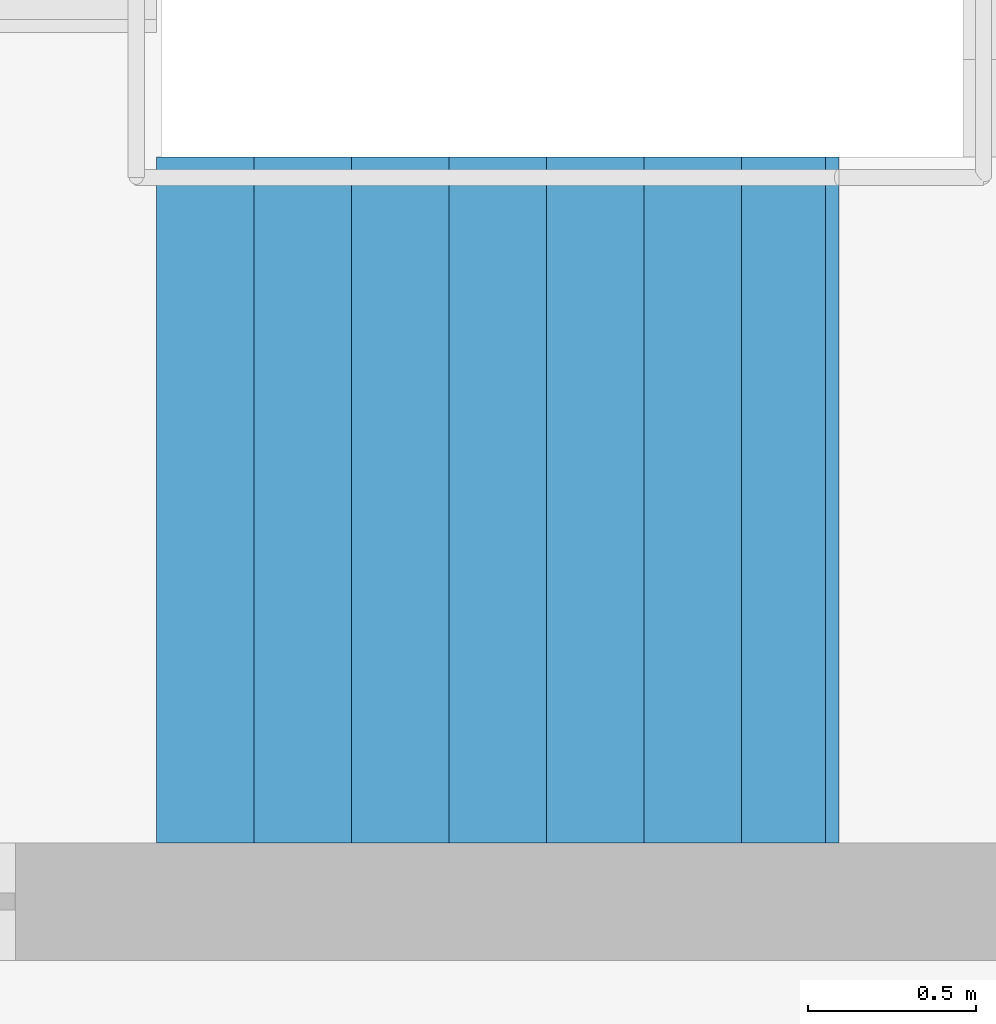
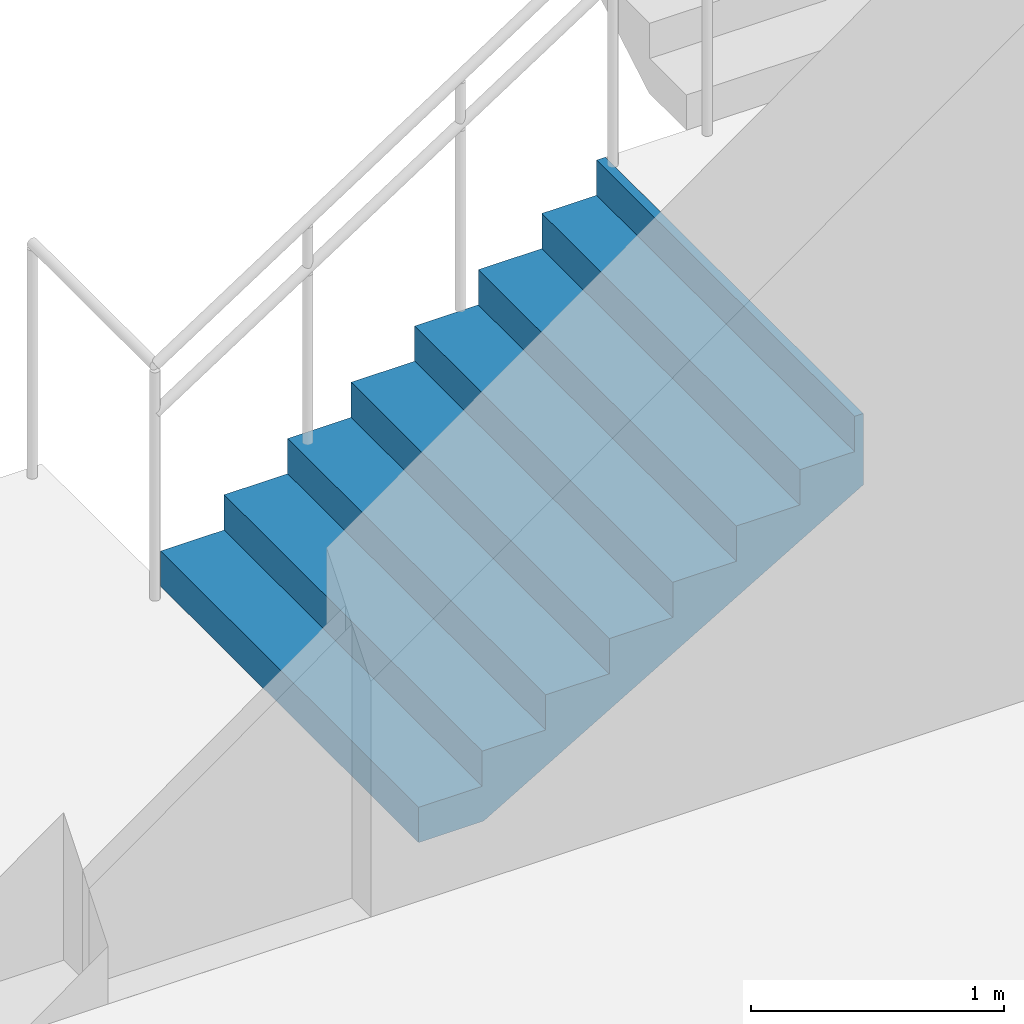
# One storey, part 27 of 50: 1 stair flight, 1 element without a shape of its own.
"""IFC4 building model written with IfcOpenShell, lengths in metres."""

from ifc_helpers import new_model, si_unit, direction, frame, origin, place, context, subcontext, project, spatial, triangles, material, type_object, element, aggregate, save


model = new_model("IFC4")

# Units and contexts
model_context = context("Model", 3, precision=1e-05, world=origin(), true_north=direction((0.0, 1.0)))
body_context = subcontext(model_context, "Body", "Model", "MODEL_VIEW")
ifc_project = project(units=[si_unit("LENGTHUNIT", "METRE"), si_unit("AREAUNIT", "SQUARE_METRE"), si_unit("VOLUMEUNIT", "CUBIC_METRE"), si_unit("PLANEANGLEUNIT", "RADIAN"), si_unit("MASSUNIT", "GRAM", prefix="KILO")], contexts=[model_context])

# Site, building, storey
site_placement = place(None, origin())
site = spatial("IfcSite", under=ifc_project, at=site_placement, CompositionType="ELEMENT")
building_placement = place(site_placement, origin())
building = spatial("IfcBuilding", under=site, at=building_placement, Name="Sillaruma Civic Art Gallery", CompositionType="ELEMENT")
storey_placement = place(building_placement, origin())
storey = spatial("IfcBuildingStorey", under=building, at=storey_placement, Name="L00", CompositionType="ELEMENT", Elevation=0.0)

# Stair, stair flight
ifc_material = material(Name="Concrete H35 (35 MPa)", Category="concrete")
stair_type = type_object("IfcStairType", Name="STR-4F-32", PredefinedType="USERDEFINED", material=ifc_material)
stair_placement = place(storey_placement, origin())
stair = element("IfcStair", 1, at=stair_placement, inside=storey, type_object=stair_type, Name="Protected Exit Stair ST-03 (West Bar South) (L00)", ObjectType="THREE_RETURN_STAIR", PredefinedType="USERDEFINED")
stair_flight_type = type_object("IfcStairFlightType", Name="SFL-STR-8", PredefinedType="STRAIGHT", material=ifc_material)
stair_flight_placement = place(storey_placement, frame((64.800048828125, 32.429931640625, 0.0), z_axis=(0.0, 0.0, 1.0), x_axis=(1.0, 0.0, 0.0)))
stair_flight = element("IfcStairFlight", 2, at=stair_flight_placement, type_object=stair_flight_type, Name="ST-03 flight 1", NumberOfRisers=8, NumberOfTreads=7, PredefinedType="STRAIGHT", RiserHeight=0.17, TreadLength=0.29, context=body_context, shape_type="Tessellation", body=[
    triangles([(0.0, -1.02001953125, 0.0), (0.29, -1.02001953125, 0.0), (0.296443, -1.02001953125, 0.0), (0.58, -1.02001953125, 0.166223), (0.87, -1.02001953125, 0.336223), (1.16, -1.02001953125, 0.506223), (1.45, -1.02001953125, 0.676223), (1.74, -1.02001953125, 0.846223), (1.990029, -1.02001953125, 0.992792), (2.030029, -1.02001953125, 1.01624), (2.030029, -1.02001953125, 1.36), (1.990029, -1.02001953125, 1.36), (1.990029, -1.02001953125, 1.19), (1.74, -1.02001953125, 1.19), (1.74, -1.02001953125, 1.02), (1.45, -1.02001953125, 1.02), (1.45, -1.02001953125, 0.85), (1.16, -1.02001953125, 0.85), (1.16, -1.02001953125, 0.68), (0.87, -1.02001953125, 0.68), (0.87, -1.02001953125, 0.51), (0.58, -1.02001953125, 0.51), (0.58, -1.02001953125, 0.34), (0.296443, -1.02001953125, 0.34), (0.29, -1.02001953125, 0.34), (0.29, -1.02001953125, 0.17), (0.0, -1.02001953125, 0.17), (0.0, -0.05, 0.0), (0.29, -0.05, 0.0), (0.296443, -0.05, 0.0), (0.58, -0.05, 0.166223), (0.87, -0.05, 0.336223), (1.16, -0.05, 0.506223), (1.45, -0.05, 0.676223), (1.74, -0.05, 0.846223), (1.990029, -0.05, 0.992792), (2.030029, -0.05, 1.01624), (2.030029, -0.05, 1.36), (1.990029, -0.05, 1.36), (1.990029, -0.05, 1.19), (1.74, -0.05, 1.19), (1.74, -0.05, 1.02), (1.45, -0.05, 1.02), (1.45, -0.05, 0.85), (1.16, -0.05, 0.85), (1.16, -0.05, 0.68), (0.87, -0.05, 0.68), (0.87, -0.05, 0.51), (0.58, -0.05, 0.51), (0.58, -0.05, 0.34), (0.296443, -0.05, 0.34), (0.29, -0.05, 0.34), (0.29, -0.05, 0.17), (0.0, -0.05, 0.17), (0.0, -0.0375, 0.0), (0.29, -0.0375, 0.0), (0.296443, -0.0375, 0.0), (0.58, -0.0375, 0.166223), (0.87, -0.0375, 0.336223), (1.16, -0.0375, 0.506223), (1.45, -0.0375, 0.676223), (1.74, -0.0375, 0.846223), (1.990029, -0.0375, 0.992792), (2.030029, -0.0375, 1.01624), (2.030029, -0.0375, 1.36), (1.990029, -0.0375, 1.36), (1.990029, -0.0375, 1.19), (1.74, -0.0375, 1.19), (1.74, -0.0375, 1.02), (1.45, -0.0375, 1.02), (1.45, -0.0375, 0.85), (1.16, -0.0375, 0.85), (1.16, -0.0375, 0.68), (0.87, -0.0375, 0.68), (0.87, -0.0375, 0.51), (0.58, -0.0375, 0.51), (0.58, -0.0375, 0.34), (0.296443, -0.0375, 0.34), (0.29, -0.0375, 0.34), (0.29, -0.0375, 0.17), (0.0, -0.0375, 0.17), (0.0, -0.025, 0.0), (0.29, -0.025, 0.0), (0.296443, -0.025, 0.0), (0.58, -0.025, 0.166223), (0.87, -0.025, 0.336223), (1.16, -0.025, 0.506223), (1.45, -0.025, 0.676223), (1.74, -0.025, 0.846223), (1.990029, -0.025, 0.992792), (2.030029, -0.025, 1.01624), (2.030029, -0.025, 1.36), (1.990029, -0.025, 1.36), (1.990029, -0.025, 1.19), (1.74, -0.025, 1.19), (1.74, -0.025, 1.02), (1.45, -0.025, 1.02), (1.45, -0.025, 0.85), (1.16, -0.025, 0.85), (1.16, -0.025, 0.68), (0.87, -0.025, 0.68), (0.87, -0.025, 0.51), (0.58, -0.025, 0.51), (0.58, -0.025, 0.34), (0.296443, -0.025, 0.34), (0.29, -0.025, 0.34), (0.29, -0.025, 0.17), (0.0, -0.025, 0.17), (0.0, -0.0125, 0.0), (0.29, -0.0125, 0.0), (0.296443, -0.0125, 0.0), (0.58, -0.0125, 0.166223), (0.87, -0.0125, 0.336223), (1.16, -0.0125, 0.506223), (1.45, -0.0125, 0.676223), (1.74, -0.0125, 0.846223), (1.990029, -0.0125, 0.992792), (2.030029, -0.0125, 1.01624), (2.030029, -0.0125, 1.36), (1.990029, -0.0125, 1.36), (1.990029, -0.0125, 1.19), (1.74, -0.0125, 1.19), (1.74, -0.0125, 1.02), (1.45, -0.0125, 1.02), (1.45, -0.0125, 0.85), (1.16, -0.0125, 0.85), (1.16, -0.0125, 0.68), (0.87, -0.0125, 0.68), (0.87, -0.0125, 0.51), (0.58, -0.0125, 0.51), (0.58, -0.0125, 0.34), (0.296443, -0.0125, 0.34), (0.29, -0.0125, 0.34), (0.29, -0.0125, 0.17), (0.0, -0.0125, 0.17), (0.0, 0.0, 0.0), (0.29, 0.0, 0.0), (0.296443, 0.0, 0.0), (0.58, 0.0, 0.166223), (0.87, 0.0, 0.336223), (1.16, 0.0, 0.506223), (1.45, 0.0, 0.676223), (1.74, 0.0, 0.846223), (1.990029, 0.0, 0.992792), (2.030029, 0.0, 1.01624), (2.030029, 0.0, 1.36), (1.990029, 0.0, 1.36), (1.990029, 0.0, 1.19), (1.74, 0.0, 1.19), (1.74, 0.0, 1.02), (1.45, 0.0, 1.02), (1.45, 0.0, 0.85), (1.16, 0.0, 0.85), (1.16, 0.0, 0.68), (0.87, 0.0, 0.68), (0.87, 0.0, 0.51), (0.58, 0.0, 0.51), (0.58, 0.0, 0.34), (0.296443, 0.0, 0.34), (0.29, 0.0, 0.34), (0.29, 0.0, 0.17), (0.0, 0.0, 0.17), (0.0, 0.0125, 0.0), (0.29, 0.0125, 0.0), (0.296443, 0.0125, 0.0), (0.58, 0.0125, 0.166223), (0.87, 0.0125, 0.336223), (1.16, 0.0125, 0.506223), (1.45, 0.0125, 0.676223), (1.74, 0.0125, 0.846223), (1.990029, 0.0125, 0.992792), (2.030029, 0.0125, 1.01624), (2.030029, 0.0125, 1.36), (1.990029, 0.0125, 1.36), (1.990029, 0.0125, 1.19), (1.74, 0.0125, 1.19), (1.74, 0.0125, 1.02), (1.45, 0.0125, 1.02), (1.45, 0.0125, 0.85), (1.16, 0.0125, 0.85), (1.16, 0.0125, 0.68), (0.87, 0.0125, 0.68), (0.87, 0.0125, 0.51), (0.58, 0.0125, 0.51), (0.58, 0.0125, 0.34), (0.296443, 0.0125, 0.34), (0.29, 0.0125, 0.34), (0.29, 0.0125, 0.17), (0.0, 0.0125, 0.17), (0.0, 0.025, 0.0), (0.29, 0.025, 0.0), (0.296443, 0.025, 0.0), (0.58, 0.025, 0.166223), (0.87, 0.025, 0.336223), (1.16, 0.025, 0.506223), (1.45, 0.025, 0.676223), (1.74, 0.025, 0.846223), (1.990029, 0.025, 0.992792), (2.030029, 0.025, 1.01624), (2.030029, 0.025, 1.36), (1.990029, 0.025, 1.36), (1.990029, 0.025, 1.19), (1.74, 0.025, 1.19), (1.74, 0.025, 1.02), (1.45, 0.025, 1.02), (1.45, 0.025, 0.85), (1.16, 0.025, 0.85), (1.16, 0.025, 0.68), (0.87, 0.025, 0.68), (0.87, 0.025, 0.51), (0.58, 0.025, 0.51), (0.58, 0.025, 0.34), (0.296443, 0.025, 0.34), (0.29, 0.025, 0.34), (0.29, 0.025, 0.17), (0.0, 0.025, 0.17), (0.0, 0.0375, 0.0), (0.29, 0.0375, 0.0), (0.296443, 0.0375, 0.0), (0.58, 0.0375, 0.166223), (0.87, 0.0375, 0.336223), (1.16, 0.0375, 0.506223), (1.45, 0.0375, 0.676223), (1.74, 0.0375, 0.846223), (1.990029, 0.0375, 0.992792), (2.030029, 0.0375, 1.01624), (2.030029, 0.0375, 1.36), (1.990029, 0.0375, 1.36), (1.990029, 0.0375, 1.19), (1.74, 0.0375, 1.19), (1.74, 0.0375, 1.02), (1.45, 0.0375, 1.02), (1.45, 0.0375, 0.85), (1.16, 0.0375, 0.85), (1.16, 0.0375, 0.68), (0.87, 0.0375, 0.68), (0.87, 0.0375, 0.51), (0.58, 0.0375, 0.51), (0.58, 0.0375, 0.34), (0.296443, 0.0375, 0.34), (0.29, 0.0375, 0.34), (0.29, 0.0375, 0.17), (0.0, 0.0375, 0.17), (0.0, 0.05, 0.0), (0.29, 0.05, 0.0), (0.296443, 0.05, 0.0), (0.58, 0.05, 0.166223), (0.87, 0.05, 0.336223), (1.16, 0.05, 0.506223), (1.45, 0.05, 0.676223), (1.74, 0.05, 0.846223), (1.990029, 0.05, 0.992792), (2.030029, 0.05, 1.01624), (2.030029, 0.05, 1.36), (1.990029, 0.05, 1.36), (1.990029, 0.05, 1.19), (1.74, 0.05, 1.19), (1.74, 0.05, 1.02), (1.45, 0.05, 1.02), (1.45, 0.05, 0.85), (1.16, 0.05, 0.85), (1.16, 0.05, 0.68), (0.87, 0.05, 0.68), (0.87, 0.05, 0.51), (0.58, 0.05, 0.51), (0.58, 0.05, 0.34), (0.296443, 0.05, 0.34), (0.29, 0.05, 0.34), (0.29, 0.05, 0.17), (0.0, 0.05, 0.17), (0.0, 1.02001953125, 0.0), (0.29, 1.02001953125, 0.0), (0.296443, 1.02001953125, 0.0), (0.58, 1.02001953125, 0.166223), (0.87, 1.02001953125, 0.336223), (1.16, 1.02001953125, 0.506223), (1.45, 1.02001953125, 0.676223), (1.74, 1.02001953125, 0.846223), (1.990029, 1.02001953125, 0.992792), (2.030029, 1.02001953125, 1.01624), (2.030029, 1.02001953125, 1.36), (1.990029, 1.02001953125, 1.36), (1.990029, 1.02001953125, 1.19), (1.74, 1.02001953125, 1.19), (1.74, 1.02001953125, 1.02), (1.45, 1.02001953125, 1.02), (1.45, 1.02001953125, 0.85), (1.16, 1.02001953125, 0.85), (1.16, 1.02001953125, 0.68), (0.87, 1.02001953125, 0.68), (0.87, 1.02001953125, 0.51), (0.58, 1.02001953125, 0.51), (0.58, 1.02001953125, 0.34), (0.296443, 1.02001953125, 0.34), (0.29, 1.02001953125, 0.34), (0.29, 1.02001953125, 0.17), (0.0, 1.02001953125, 0.17)], [[1, 2, 26], [1, 26, 27], [2, 3, 24], [2, 24, 26], [26, 24, 25], [3, 4, 23], [3, 23, 24], [4, 5, 21], [4, 21, 23], [23, 21, 22], [5, 6, 19], [5, 19, 21], [21, 19, 20], [6, 7, 17], [6, 17, 19], [19, 17, 18], [7, 8, 15], [7, 15, 17], [17, 15, 16], [8, 9, 13], [8, 13, 15], [15, 13, 14], [9, 10, 11], [9, 11, 13], [13, 11, 12], [296, 272, 271], [297, 296, 271], [294, 273, 272], [296, 294, 272], [295, 294, 296], [293, 274, 273], [294, 293, 273], [291, 275, 274], [293, 291, 274], [292, 291, 293], [289, 276, 275], [291, 289, 275], [290, 289, 291], [287, 277, 276], [289, 287, 276], [288, 287, 289], [285, 278, 277], [287, 285, 277], [286, 285, 287], [283, 279, 278], [285, 283, 278], [284, 283, 285], [281, 280, 279], [283, 281, 279], [282, 281, 283], [2, 1, 28], [2, 28, 29], [3, 2, 29], [3, 29, 30], [4, 3, 30], [4, 30, 31], [5, 4, 31], [5, 31, 32], [6, 5, 32], [6, 32, 33], [7, 6, 33], [7, 33, 34], [8, 7, 34], [8, 34, 35], [9, 8, 35], [9, 35, 36], [10, 9, 36], [10, 36, 37], [11, 10, 37], [11, 37, 38], [12, 11, 38], [12, 38, 39], [13, 12, 39], [13, 39, 40], [14, 13, 40], [14, 40, 41], [15, 14, 41], [15, 41, 42], [16, 15, 42], [16, 42, 43], [17, 16, 43], [17, 43, 44], [18, 17, 44], [18, 44, 45], [19, 18, 45], [19, 45, 46], [20, 19, 46], [20, 46, 47], [21, 20, 47], [21, 47, 48], [22, 21, 48], [22, 48, 49], [23, 22, 49], [23, 49, 50], [24, 23, 50], [24, 50, 51], [25, 24, 51], [25, 51, 52], [26, 25, 52], [26, 52, 53], [27, 26, 53], [27, 53, 54], [1, 27, 54], [1, 54, 28], [29, 28, 55], [29, 55, 56], [30, 29, 56], [30, 56, 57], [31, 30, 57], [31, 57, 58], [32, 31, 58], [32, 58, 59], [33, 32, 59], [33, 59, 60], [34, 33, 60], [34, 60, 61], [35, 34, 61], [35, 61, 62], [36, 35, 62], [36, 62, 63], [37, 36, 63], [37, 63, 64], [38, 37, 64], [38, 64, 65], [39, 38, 65], [39, 65, 66], [40, 39, 66], [40, 66, 67], [41, 40, 67], [41, 67, 68], [42, 41, 68], [42, 68, 69], [43, 42, 69], [43, 69, 70], [44, 43, 70], [44, 70, 71], [45, 44, 71], [45, 71, 72], [46, 45, 72], [46, 72, 73], [47, 46, 73], [47, 73, 74], [48, 47, 74], [48, 74, 75], [49, 48, 75], [49, 75, 76], [50, 49, 76], [50, 76, 77], [51, 50, 77], [51, 77, 78], [52, 51, 78], [52, 78, 79], [53, 52, 79], [53, 79, 80], [54, 53, 80], [54, 80, 81], [28, 54, 81], [28, 81, 55], [56, 55, 82], [56, 82, 83], [57, 56, 83], [57, 83, 84], [58, 57, 84], [58, 84, 85], [59, 58, 85], [59, 85, 86], [60, 59, 86], [60, 86, 87], [61, 60, 87], [61, 87, 88], [62, 61, 88], [62, 88, 89], [63, 62, 89], [63, 89, 90], [64, 63, 90], [64, 90, 91], [65, 64, 91], [65, 91, 92], [66, 65, 92], [66, 92, 93], [67, 66, 93], [67, 93, 94], [68, 67, 94], [68, 94, 95], [69, 68, 95], [69, 95, 96], [70, 69, 96], [70, 96, 97], [71, 70, 97], [71, 97, 98], [72, 71, 98], [72, 98, 99], [73, 72, 99], [73, 99, 100], [74, 73, 100], [74, 100, 101], [75, 74, 101], [75, 101, 102], [76, 75, 102], [76, 102, 103], [77, 76, 103], [77, 103, 104], [78, 77, 104], [78, 104, 105], [79, 78, 105], [79, 105, 106], [80, 79, 106], [80, 106, 107], [81, 80, 107], [81, 107, 108], [55, 81, 108], [55, 108, 82], [83, 82, 109], [83, 109, 110], [84, 83, 110], [84, 110, 111], [85, 84, 111], [85, 111, 112], [86, 85, 112], [86, 112, 113], [87, 86, 113], [87, 113, 114], [88, 87, 114], [88, 114, 115], [89, 88, 115], [89, 115, 116], [90, 89, 116], [90, 116, 117], [91, 90, 117], [91, 117, 118], [92, 91, 118], [92, 118, 119], [93, 92, 119], [93, 119, 120], [94, 93, 120], [94, 120, 121], [95, 94, 121], [95, 121, 122], [96, 95, 122], [96, 122, 123], [97, 96, 123], [97, 123, 124], [98, 97, 124], [98, 124, 125], [99, 98, 125], [99, 125, 126], [100, 99, 126], [100, 126, 127], [101, 100, 127], [101, 127, 128], [102, 101, 128], [102, 128, 129], [103, 102, 129], [103, 129, 130], [104, 103, 130], [104, 130, 131], [105, 104, 131], [105, 131, 132], [106, 105, 132], [106, 132, 133], [107, 106, 133], [107, 133, 134], [108, 107, 134], [108, 134, 135], [82, 108, 135], [82, 135, 109], [110, 109, 136], [110, 136, 137], [111, 110, 137], [111, 137, 138], [112, 111, 138], [112, 138, 139], [113, 112, 139], [113, 139, 140], [114, 113, 140], [114, 140, 141], [115, 114, 141], [115, 141, 142], [116, 115, 142], [116, 142, 143], [117, 116, 143], [117, 143, 144], [118, 117, 144], [118, 144, 145], [119, 118, 145], [119, 145, 146], [120, 119, 146], [120, 146, 147], [121, 120, 147], [121, 147, 148], [122, 121, 148], [122, 148, 149], [123, 122, 149], [123, 149, 150], [124, 123, 150], [124, 150, 151], [125, 124, 151], [125, 151, 152], [126, 125, 152], [126, 152, 153], [127, 126, 153], [127, 153, 154], [128, 127, 154], [128, 154, 155], [129, 128, 155], [129, 155, 156], [130, 129, 156], [130, 156, 157], [131, 130, 157], [131, 157, 158], [132, 131, 158], [132, 158, 159], [133, 132, 159], [133, 159, 160], [134, 133, 160], [134, 160, 161], [135, 134, 161], [135, 161, 162], [109, 135, 162], [109, 162, 136], [137, 136, 163], [137, 163, 164], [138, 137, 164], [138, 164, 165], [139, 138, 165], [139, 165, 166], [140, 139, 166], [140, 166, 167], [141, 140, 167], [141, 167, 168], [142, 141, 168], [142, 168, 169], [143, 142, 169], [143, 169, 170], [144, 143, 170], [144, 170, 171], [145, 144, 171], [145, 171, 172], [146, 145, 172], [146, 172, 173], [147, 146, 173], [147, 173, 174], [148, 147, 174], [148, 174, 175], [149, 148, 175], [149, 175, 176], [150, 149, 176], [150, 176, 177], [151, 150, 177], [151, 177, 178], [152, 151, 178], [152, 178, 179], [153, 152, 179], [153, 179, 180], [154, 153, 180], [154, 180, 181], [155, 154, 181], [155, 181, 182], [156, 155, 182], [156, 182, 183], [157, 156, 183], [157, 183, 184], [158, 157, 184], [158, 184, 185], [159, 158, 185], [159, 185, 186], [160, 159, 186], [160, 186, 187], [161, 160, 187], [161, 187, 188], [162, 161, 188], [162, 188, 189], [136, 162, 189], [136, 189, 163], [164, 163, 190], [164, 190, 191], [165, 164, 191], [165, 191, 192], [166, 165, 192], [166, 192, 193], [167, 166, 193], [167, 193, 194], [168, 167, 194], [168, 194, 195], [169, 168, 195], [169, 195, 196], [170, 169, 196], [170, 196, 197], [171, 170, 197], [171, 197, 198], [172, 171, 198], [172, 198, 199], [173, 172, 199], [173, 199, 200], [174, 173, 200], [174, 200, 201], [175, 174, 201], [175, 201, 202], [176, 175, 202], [176, 202, 203], [177, 176, 203], [177, 203, 204], [178, 177, 204], [178, 204, 205], [179, 178, 205], [179, 205, 206], [180, 179, 206], [180, 206, 207], [181, 180, 207], [181, 207, 208], [182, 181, 208], [182, 208, 209], [183, 182, 209], [183, 209, 210], [184, 183, 210], [184, 210, 211], [185, 184, 211], [185, 211, 212], [186, 185, 212], [186, 212, 213], [187, 186, 213], [187, 213, 214], [188, 187, 214], [188, 214, 215], [189, 188, 215], [189, 215, 216], [163, 189, 216], [163, 216, 190], [191, 190, 217], [191, 217, 218], [192, 191, 218], [192, 218, 219], [193, 192, 219], [193, 219, 220], [194, 193, 220], [194, 220, 221], [195, 194, 221], [195, 221, 222], [196, 195, 222], [196, 222, 223], [197, 196, 223], [197, 223, 224], [198, 197, 224], [198, 224, 225], [199, 198, 225], [199, 225, 226], [200, 199, 226], [200, 226, 227], [201, 200, 227], [201, 227, 228], [202, 201, 228], [202, 228, 229], [203, 202, 229], [203, 229, 230], [204, 203, 230], [204, 230, 231], [205, 204, 231], [205, 231, 232], [206, 205, 232], [206, 232, 233], [207, 206, 233], [207, 233, 234], [208, 207, 234], [208, 234, 235], [209, 208, 235], [209, 235, 236], [210, 209, 236], [210, 236, 237], [211, 210, 237], [211, 237, 238], [212, 211, 238], [212, 238, 239], [213, 212, 239], [213, 239, 240], [214, 213, 240], [214, 240, 241], [215, 214, 241], [215, 241, 242], [216, 215, 242], [216, 242, 243], [190, 216, 243], [190, 243, 217], [218, 217, 244], [218, 244, 245], [219, 218, 245], [219, 245, 246], [220, 219, 246], [220, 246, 247], [221, 220, 247], [221, 247, 248], [222, 221, 248], [222, 248, 249], [223, 222, 249], [223, 249, 250], [224, 223, 250], [224, 250, 251], [225, 224, 251], [225, 251, 252], [226, 225, 252], [226, 252, 253], [227, 226, 253], [227, 253, 254], [228, 227, 254], [228, 254, 255], [229, 228, 255], [229, 255, 256], [230, 229, 256], [230, 256, 257], [231, 230, 257], [231, 257, 258], [232, 231, 258], [232, 258, 259], [233, 232, 259], [233, 259, 260], [234, 233, 260], [234, 260, 261], [235, 234, 261], [235, 261, 262], [236, 235, 262], [236, 262, 263], [237, 236, 263], [237, 263, 264], [238, 237, 264], [238, 264, 265], [239, 238, 265], [239, 265, 266], [240, 239, 266], [240, 266, 267], [241, 240, 267], [241, 267, 268], [242, 241, 268], [242, 268, 269], [243, 242, 269], [243, 269, 270], [217, 243, 270], [217, 270, 244], [245, 244, 271], [245, 271, 272], [246, 245, 272], [246, 272, 273], [247, 246, 273], [247, 273, 274], [248, 247, 274], [248, 274, 275], [249, 248, 275], [249, 275, 276], [250, 249, 276], [250, 276, 277], [251, 250, 277], [251, 277, 278], [252, 251, 278], [252, 278, 279], [253, 252, 279], [253, 279, 280], [254, 253, 280], [254, 280, 281], [255, 254, 281], [255, 281, 282], [256, 255, 282], [256, 282, 283], [257, 256, 283], [257, 283, 284], [258, 257, 284], [258, 284, 285], [259, 258, 285], [259, 285, 286], [260, 259, 286], [260, 286, 287], [261, 260, 287], [261, 287, 288], [262, 261, 288], [262, 288, 289], [263, 262, 289], [263, 289, 290], [264, 263, 290], [264, 290, 291], [265, 264, 291], [265, 291, 292], [266, 265, 292], [266, 292, 293], [267, 266, 293], [267, 293, 294], [268, 267, 294], [268, 294, 295], [269, 268, 295], [269, 295, 296], [270, 269, 296], [270, 296, 297], [244, 270, 297], [244, 297, 271]], closed=True),
])
aggregate(stair, [stair_flight])

save(model, "model.ifc")
